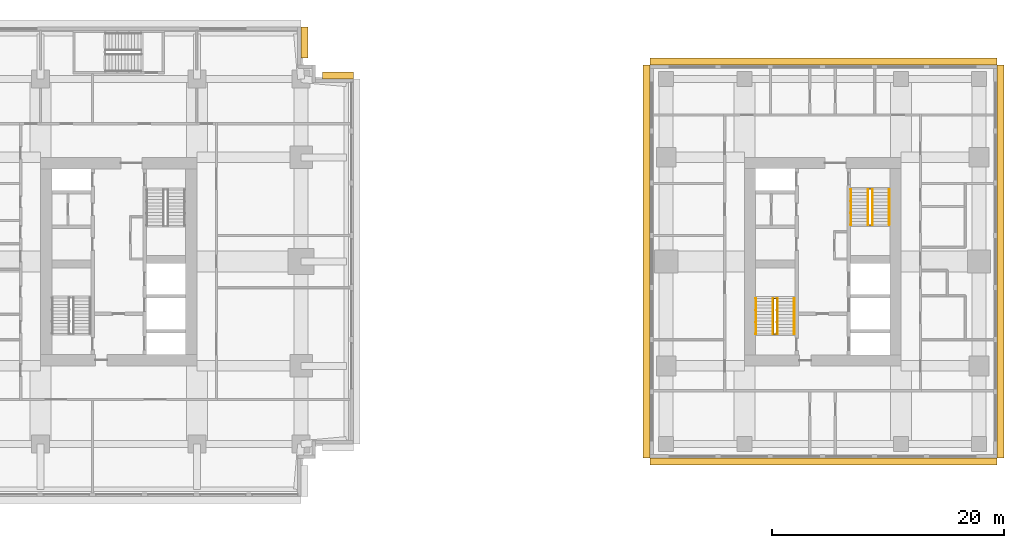
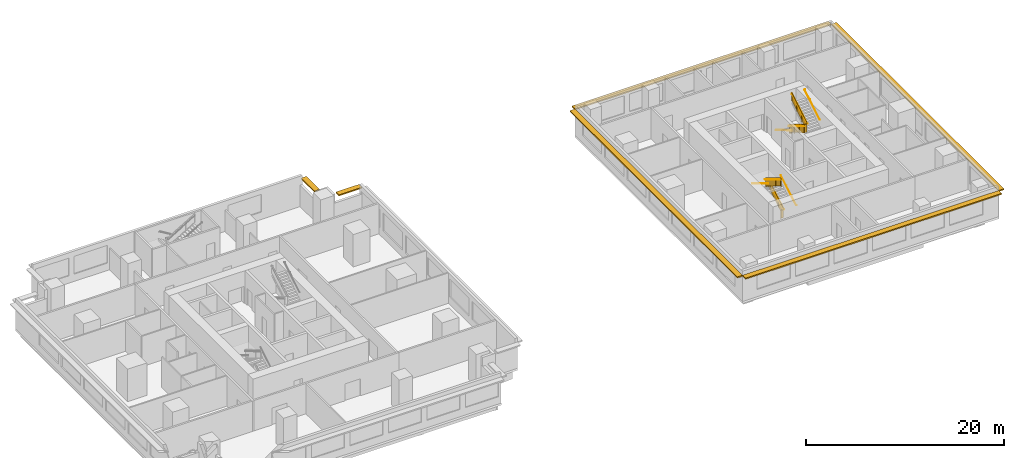
# One storey, part 11 of 11: 10 railings, 6 shading devices.
"""IFC4 building model written with IfcOpenShell, lengths in metres."""

import ifcopenshell
import ifcopenshell.guid

model = None  # the IFC model being written
_history = None  # IfcOwnerHistory: only IFC2X3 demands one
_inside = {}  # id of a spatial element -> (the spatial element, [elements in it])
_under = {}  # id of a project, library or spatial element -> (it, [spatial elements below it])
_declared = {}  # id of a project -> (the project, [libraries it declares])
_typed = {}  # id of a type object -> (the type object, [elements of that type])
_made_of = {}  # id of a material, layer set ... -> (it, [elements and type objects made of it])


def new_model(schema):
    """Start an empty IFC model of exactly this schema.

    Asked for "IFC4X3", IfcOpenShell would pick the latest addendum, in which some entities
    have other attributes; the version numbers below select the first issue.
    IFC2X3 requires an IfcOwnerHistory on every rooted entity: one is made here for all.
    """
    global model, _history
    if schema == "IFC4X3":
        model = ifcopenshell.file(schema_version=(4, 3, 0, 0))
    else:
        model = ifcopenshell.file(schema=schema)
    _inside.clear()
    _under.clear()
    _declared.clear()
    _typed.clear()
    _made_of.clear()
    _history = None
    if model.schema == "IFC2X3":
        org = make("IfcOrganization", Name="unknown")
        user = make(
            "IfcPersonAndOrganization",
            ThePerson=make("IfcPerson", FamilyName="unknown"),
            TheOrganization=org,
        )
        app = make(
            "IfcApplication",
            ApplicationDeveloper=org,
            Version="unknown",
            ApplicationFullName="unknown",
            ApplicationIdentifier="unknown",
        )
        _history = make(
            "IfcOwnerHistory",
            OwningUser=user,
            OwningApplication=app,
            ChangeAction="ADDED",
            CreationDate=0,
        )
    return model


def make(cls, **values):
    """One entity of the class cls with the attributes given. An attribute that is None is left unset."""
    return model.create_entity(
        cls, **{name: value for name, value in values.items() if value is not None}
    )


def rooted(cls, **values):
    """An entity with a GlobalId (a new one), such as an element, a storey or a relation."""
    return make(cls, GlobalId=ifcopenshell.guid.new(), OwnerHistory=_history, **values)


def si_unit(unit_type, name, prefix=None):
    """IfcSIUnit, for example si_unit("LENGTHUNIT", "METRE", prefix="MILLI")."""
    return make("IfcSIUnit", UnitType=unit_type, Prefix=prefix, Name=name)


def assignment(units):
    """IfcUnitAssignment: the units of a project."""
    return None if units is None else make("IfcUnitAssignment", Units=units)


def point(xyz):
    """IfcCartesianPoint."""
    return None if xyz is None else make("IfcCartesianPoint", Coordinates=xyz)


def direction(xyz):
    """IfcDirection."""
    return None if xyz is None else make("IfcDirection", DirectionRatios=xyz)


def frame(location, z_axis=None, x_axis=None):
    """IfcAxis2Placement3D, a coordinate frame: its origin and axes. An axis left out is left unset."""
    return make(
        "IfcAxis2Placement3D",
        Location=point(location),
        Axis=direction(z_axis),
        RefDirection=direction(x_axis),
    )


def frame_2d(location, x_axis=None):
    """IfcAxis2Placement2D, a coordinate frame in the plane: its origin and x axis."""
    return make(
        "IfcAxis2Placement2D", Location=point(location), RefDirection=direction(x_axis)
    )


def origin():
    """The frame at (0, 0, 0) with its axes left unset."""
    return frame((0.0, 0.0, 0.0))


def origin_2d():
    """The frame at (0, 0) in the plane with its x axis left unset."""
    return frame_2d((0.0, 0.0))


def place(relative_to, where):
    """IfcLocalPlacement: puts the frame where relative to a parent placement (None: the world)."""
    return make(
        "IfcLocalPlacement", PlacementRelTo=relative_to, RelativePlacement=where
    )


def context(
    kind, dimensions, precision=None, world=None, true_north=None, identifier=None
):
    """IfcGeometricRepresentationContext, for example the 3D "Model" context."""
    return make(
        "IfcGeometricRepresentationContext",
        ContextIdentifier=identifier,
        ContextType=kind,
        CoordinateSpaceDimension=dimensions,
        Precision=precision,
        WorldCoordinateSystem=world,
        TrueNorth=true_north,
    )


def subcontext(parent, identifier, kind, view, scale=None):
    """IfcGeometricRepresentationSubContext, for example "Body" below "Model"."""
    return make(
        "IfcGeometricRepresentationSubContext",
        ContextIdentifier=identifier,
        ContextType=kind,
        ParentContext=parent,
        TargetScale=scale,
        TargetView=view,
    )


def project(units=None, contexts=None):
    """IfcProject with its units and contexts."""
    return rooted(
        "IfcProject",
        Name="project",
        RepresentationContexts=contexts,
        UnitsInContext=assignment(units),
    )


def spatial(cls, under=None, at=None, **own):
    """A site, building, storey or space (cls), placed at a placement, below another one or the project."""
    s = rooted(cls, ObjectPlacement=at, **own)
    if under is not None:
        _under.setdefault(under.id(), (under, []))[1].append(s)
    return s


def polyline(points):
    """IfcPolyline through the points."""
    return make("IfcPolyline", Points=[point(p) for p in points])


def profile(cls, at=None, kind="AREA", **sizes):
    """A parametric profile (cls). Its sizes go by their IFC names, for example OverallWidth=200.0."""
    return make(cls, ProfileType=kind, Position=at, **sizes)


def rectangle(**sizes):
    """IfcRectangleProfileDef."""
    return profile("IfcRectangleProfileDef", **sizes)


def circle(**sizes):
    """IfcCircleProfileDef."""
    return profile("IfcCircleProfileDef", **sizes)


def outline(outer, holes=None, kind="AREA"):
    """IfcArbitraryClosedProfileDef: a profile drawn as a closed curve; with holes, ...WithVoids."""
    if holes is None:
        return make("IfcArbitraryClosedProfileDef", ProfileType=kind, OuterCurve=outer)
    return make(
        "IfcArbitraryProfileDefWithVoids",
        ProfileType=kind,
        OuterCurve=outer,
        InnerCurves=holes,
    )


def extrude(swept, where, along, depth):
    """IfcExtrudedAreaSolid: the profile swept, set in the frame where, extruded along a direction by depth."""
    return make(
        "IfcExtrudedAreaSolid",
        SweptArea=swept,
        Position=where,
        ExtrudedDirection=direction(along),
        Depth=depth,
    )


def shape(context_of_items, identifier, shape_type, items):
    """IfcShapeRepresentation: the items that make up one representation, for example the "Body"."""
    return make(
        "IfcShapeRepresentation",
        ContextOfItems=context_of_items,
        RepresentationIdentifier=identifier,
        RepresentationType=shape_type,
        Items=items,
    )


def material(Name=None, Category=None):
    """IfcMaterial."""
    return make("IfcMaterial", Name=Name, Category=Category)


def layer(
    of_material, thickness, ventilated=None, Name=None, Category=None, Priority=None
):
    """IfcMaterialLayer: one layer of a wall or slab, of a material (None: an air gap)."""
    return make(
        "IfcMaterialLayer",
        Material=of_material,
        LayerThickness=thickness,
        IsVentilated=ventilated,
        Name=Name,
        Category=Category,
        Priority=Priority,
    )


def layer_set(layers, Name=None):
    """IfcMaterialLayerSet."""
    return make("IfcMaterialLayerSet", MaterialLayers=layers, LayerSetName=Name)


def made_of(thing, what):
    """Note that an element or type object is made of a material, layer set ...; save() writes the relation."""
    if what is not None:
        _made_of.setdefault(what.id(), (what, []))[1].append(thing)
    return thing


def type_object(cls, material=None, **own):
    """A type object (cls), such as IfcWallType, which elements share."""
    return made_of(rooted(cls, **own), material)


def element(
    cls,
    number,
    at=None,
    inside=None,
    cuts=None,
    type_object=None,
    material=None,
    context=None,
    identifier="Body",
    shape_type=None,
    held_by="IfcProductDefinitionShape",
    body=None,
    shapes=None,
    **own,
):
    """One element of the class cls, such as IfcWall. Its Tag is "e" and its number.

    at: its placement. inside: the storey or other place that contains it. cuts: it is an
    opening in that element (IfcRelVoidsElement). A single representation is given by context,
    identifier, shape_type and body (its items); several are given by shapes. held_by: the class
    of the entity that holds the representations. save() writes the other relations.
    """
    e = rooted(cls, Tag="e%d" % number, ObjectPlacement=at, **own)
    if body is not None:
        shapes = [shape(context, identifier, shape_type, body)]
    if shapes is not None:
        e.Representation = make(held_by, Representations=shapes)
    if inside is not None:
        _inside.setdefault(inside.id(), (inside, []))[1].append(e)
    if cuts is not None:
        rooted(
            "IfcRelVoidsElement", RelatingBuildingElement=cuts, RelatedOpeningElement=e
        )
    if type_object is not None:
        _typed.setdefault(type_object.id(), (type_object, []))[1].append(e)
    return made_of(e, material)


def aggregate(whole, parts):
    """IfcRelAggregates: a whole, such as a stair, and the parts it consists of."""
    return rooted("IfcRelAggregates", RelatingObject=whole, RelatedObjects=parts)


def save(model, path):
    """Write the relations noted so far, then the file.

    IfcRelAggregates (storeys below a building ...), IfcRelContainedInSpatialStructure (elements
    in a storey), IfcRelDefinesByType, IfcRelAssociatesMaterial and IfcRelDeclares: one each for
    every whole, place, type object, material and project.
    """
    for whole, parts in _under.values():
        aggregate(whole, parts)
    for where, things in _inside.values():
        rooted(
            "IfcRelContainedInSpatialStructure",
            RelatedElements=things,
            RelatingStructure=where,
        )
    for kind, things in _typed.values():
        rooted("IfcRelDefinesByType", RelatedObjects=things, RelatingType=kind)
    for what, things in _made_of.values():
        rooted("IfcRelAssociatesMaterial", RelatedObjects=things, RelatingMaterial=what)
    for by, libraries in _declared.values():
        rooted("IfcRelDeclares", RelatingContext=by, RelatedDefinitions=libraries)
    model.write(path)


model = new_model("IFC4")

# Units and contexts
model_context = context("Model", 3, precision=1e-05, world=origin(), true_north=direction((0.0, 1.0)))
body_context = subcontext(model_context, "Body", "Model", "MODEL_VIEW")
ifc_project = project(units=[si_unit("LENGTHUNIT", "METRE"), si_unit("AREAUNIT", "SQUARE_METRE"), si_unit("VOLUMEUNIT", "CUBIC_METRE"), si_unit("PLANEANGLEUNIT", "RADIAN"), si_unit("MASSUNIT", "GRAM", prefix="KILO")], contexts=[model_context])

# Site, building, storey
site_placement = place(None, origin())
site = spatial("IfcSite", under=ifc_project, at=site_placement, CompositionType="ELEMENT")
building_placement = place(site_placement, origin())
building = spatial("IfcBuilding", under=site, at=building_placement, Name="Namib Vertical Campus", CompositionType="ELEMENT")
storey_placement = place(building_placement, frame((0.0, 0.0, 225.0)))
storey = spatial("IfcBuildingStorey", under=building, at=storey_placement, Name="L53", CompositionType="ELEMENT", Elevation=225.0)

# Railings
ifc_material_1 = material(Name="Steel handrail", Category="steel")
railing_type_1 = type_object("IfcRailingType", Name="Handrail 900", PredefinedType="HANDRAIL", material=ifc_material_1)
railing_1_placement = place(storey_placement, frame((78.550048828125, 14.0, 0.166748046875)))
element("IfcRailing", 1, at=railing_1_placement, inside=storey, type_object=railing_type_1, Name="Handrail HR1 B-S1 L53 1", PredefinedType="HANDRAIL", context=body_context, shape_type="SweptSolid", body=[
    extrude(circle(Radius=0.02392578125, at=origin_2d()), frame((0.0, 0.0, 0.8759765625), z_axis=(0.0, 0.859308565015, 0.511457515432), x_axis=(-1.0, 0.0, 0.0)), (0.0, 0.0, 1.0), 3.58447265625),
    extrude(circle(Radius=0.008056640625, at=origin_2d()), frame((0.0, 0.0, 0.8759765625), z_axis=(1.0, 0.0, 0.0), x_axis=(0.0, 0.0, 1.0)), (0.0, 0.0, 1.0), 0.050048828125),
    extrude(circle(Radius=0.008056640625, at=origin_2d()), frame((0.0, 1.026611328125, 1.48681640625), z_axis=(1.0, 0.0, 0.0), x_axis=(0.0, 0.0, 1.0)), (0.0, 0.0, 1.0), 0.050048828125),
    extrude(circle(Radius=0.008056640625, at=origin_2d()), frame((0.0, 2.053466796875, 2.09814453125), z_axis=(1.0, 0.0, 0.0), x_axis=(0.0, 0.0, 1.0)), (0.0, 0.0, 1.0), 0.050048828125),
    extrude(circle(Radius=0.008056640625, at=origin_2d()), frame((0.0, 3.080078125, 2.708984375), z_axis=(1.0, 0.0, 0.0), x_axis=(0.0, 0.0, 1.0)), (0.0, 0.0, 1.0), 0.050048828125),
])
railing_2_placement = place(storey_placement, frame((75.25, 17.080078125, 2.166748046875)))
element("IfcRailing", 2, at=railing_2_placement, inside=storey, type_object=railing_type_1, Name="Handrail HR1 B-S1 L53 2", PredefinedType="HANDRAIL", context=body_context, shape_type="SweptSolid", body=[
    extrude(circle(Radius=0.02392578125, at=origin_2d()), frame((0.0, 0.0, 0.8759765625), z_axis=(0.0, -0.859308565015, 0.511457515432), x_axis=(1.0, 0.0, 0.0)), (0.0, 0.0, 1.0), 3.58447265625),
    extrude(circle(Radius=0.008056640625, at=origin_2d()), frame((0.0, 0.0, 0.8759765625), z_axis=(-1.0, 0.0, 0.0), x_axis=(0.0, 0.0, 1.0)), (0.0, 0.0, 1.0), 0.050048828125),
    extrude(circle(Radius=0.008056640625, at=origin_2d()), frame((0.0, -1.026611328125, 1.48681640625), z_axis=(-1.0, 0.0, 0.0), x_axis=(0.0, 0.0, 1.0)), (0.0, 0.0, 1.0), 0.050048828125),
    extrude(circle(Radius=0.008056640625, at=origin_2d()), frame((0.0, -2.053466796875, 2.09814453125), z_axis=(-1.0, 0.0, 0.0), x_axis=(0.0, 0.0, 1.0)), (0.0, 0.0, 1.0), 0.050048828125),
    extrude(circle(Radius=0.008056640625, at=origin_2d()), frame((0.0, -3.080078125, 2.708984375), z_axis=(-1.0, 0.0, 0.0), x_axis=(0.0, 0.0, 1.0)), (0.0, 0.0, 1.0), 0.050048828125),
])
railing_3_placement = place(storey_placement, frame((77.10009765625, 14.0, 0.166748046875)))
element("IfcRailing", 3, at=railing_3_placement, inside=storey, type_object=railing_type_1, Name="Handrail HR1 B-S1 L53 1 at the well", PredefinedType="HANDRAIL", context=body_context, shape_type="SweptSolid", body=[
    extrude(circle(Radius=0.02392578125, at=origin_2d()), frame((0.0, 0.0, 0.8759765625), z_axis=(0.0, 0.859308565015, 0.511457515432), x_axis=(-1.0, 0.0, 0.0)), (0.0, 0.0, 1.0), 3.58447265625),
    extrude(circle(Radius=0.008056640625, at=origin_2d()), frame((0.0, 0.0, 0.8759765625), z_axis=(-1.0, 0.0, 0.0), x_axis=(0.0, 0.0, 1.0)), (0.0, 0.0, 1.0), 0.0400390625),
    extrude(circle(Radius=0.008056640625, at=origin_2d()), frame((0.0, 1.026611328125, 1.48681640625), z_axis=(-1.0, 0.0, 0.0), x_axis=(0.0, 0.0, 1.0)), (0.0, 0.0, 1.0), 0.0400390625),
    extrude(circle(Radius=0.008056640625, at=origin_2d()), frame((0.0, 2.053466796875, 2.09814453125), z_axis=(-1.0, 0.0, 0.0), x_axis=(0.0, 0.0, 1.0)), (0.0, 0.0, 1.0), 0.0400390625),
    extrude(circle(Radius=0.008056640625, at=origin_2d()), frame((0.0, 3.080078125, 2.708984375), z_axis=(-1.0, 0.0, 0.0), x_axis=(0.0, 0.0, 1.0)), (0.0, 0.0, 1.0), 0.0400390625),
])
railing_4_placement = place(storey_placement, frame((76.699951171875, 17.080078125, 2.166748046875)))
element("IfcRailing", 4, at=railing_4_placement, inside=storey, type_object=railing_type_1, Name="Handrail HR1 B-S1 L53 2 at the well", PredefinedType="HANDRAIL", context=body_context, shape_type="SweptSolid", body=[
    extrude(circle(Radius=0.02392578125, at=origin_2d()), frame((0.0, 0.0, 0.8759765625), z_axis=(0.0, -0.859308565015, 0.511457515432), x_axis=(1.0, 0.0, 0.0)), (0.0, 0.0, 1.0), 3.58447265625),
    extrude(circle(Radius=0.008056640625, at=origin_2d()), frame((0.0, 0.0, 0.8759765625), z_axis=(1.0, 0.0, 0.0), x_axis=(0.0, 0.0, 1.0)), (0.0, 0.0, 1.0), 0.0400390625),
    extrude(circle(Radius=0.008056640625, at=origin_2d()), frame((0.0, -1.026611328125, 1.48681640625), z_axis=(1.0, 0.0, 0.0), x_axis=(0.0, 0.0, 1.0)), (0.0, 0.0, 1.0), 0.0400390625),
    extrude(circle(Radius=0.008056640625, at=origin_2d()), frame((0.0, -2.053466796875, 2.09814453125), z_axis=(1.0, 0.0, 0.0), x_axis=(0.0, 0.0, 1.0)), (0.0, 0.0, 1.0), 0.0400390625),
    extrude(circle(Radius=0.008056640625, at=origin_2d()), frame((0.0, -3.080078125, 2.708984375), z_axis=(1.0, 0.0, 0.0), x_axis=(0.0, 0.0, 1.0)), (0.0, 0.0, 1.0), 0.0400390625),
])
railing_5_placement = place(storey_placement, frame((83.449951171875, 26.5, 0.166748046875)))
element("IfcRailing", 5, at=railing_5_placement, inside=storey, type_object=railing_type_1, Name="Handrail HR1 B-S2 L53 1", PredefinedType="HANDRAIL", context=body_context, shape_type="SweptSolid", body=[
    extrude(circle(Radius=0.02392578125, at=origin_2d()), frame((0.0, 0.0, 0.8759765625), z_axis=(0.0, -0.859308565015, 0.511457515432), x_axis=(1.0, 0.0, 0.0)), (0.0, 0.0, 1.0), 3.58447265625),
    extrude(circle(Radius=0.008056640625, at=origin_2d()), frame((0.0, 0.0, 0.8759765625), z_axis=(-1.0, 0.0, 0.0), x_axis=(0.0, 0.0, 1.0)), (0.0, 0.0, 1.0), 0.050048828125),
    extrude(circle(Radius=0.008056640625, at=origin_2d()), frame((0.0, -1.026611328125, 1.48681640625), z_axis=(-1.0, 0.0, 0.0), x_axis=(0.0, 0.0, 1.0)), (0.0, 0.0, 1.0), 0.050048828125),
    extrude(circle(Radius=0.008056640625, at=origin_2d()), frame((0.0, -2.053466796875, 2.09814453125), z_axis=(-1.0, 0.0, 0.0), x_axis=(0.0, 0.0, 1.0)), (0.0, 0.0, 1.0), 0.050048828125),
    extrude(circle(Radius=0.008056640625, at=origin_2d()), frame((0.0, -3.080078125, 2.708984375), z_axis=(-1.0, 0.0, 0.0), x_axis=(0.0, 0.0, 1.0)), (0.0, 0.0, 1.0), 0.050048828125),
])
railing_6_placement = place(storey_placement, frame((86.75, 23.419921875, 2.166748046875)))
element("IfcRailing", 6, at=railing_6_placement, inside=storey, type_object=railing_type_1, Name="Handrail HR1 B-S2 L53 2", PredefinedType="HANDRAIL", context=body_context, shape_type="SweptSolid", body=[
    extrude(circle(Radius=0.02392578125, at=origin_2d()), frame((0.0, 0.0, 0.8759765625), z_axis=(0.0, 0.859308565015, 0.511457515432), x_axis=(-1.0, 0.0, 0.0)), (0.0, 0.0, 1.0), 3.58447265625),
    extrude(circle(Radius=0.008056640625, at=origin_2d()), frame((0.0, 0.0, 0.8759765625), z_axis=(1.0, 0.0, 0.0), x_axis=(0.0, 0.0, 1.0)), (0.0, 0.0, 1.0), 0.050048828125),
    extrude(circle(Radius=0.008056640625, at=origin_2d()), frame((0.0, 1.026611328125, 1.48681640625), z_axis=(1.0, 0.0, 0.0), x_axis=(0.0, 0.0, 1.0)), (0.0, 0.0, 1.0), 0.050048828125),
    extrude(circle(Radius=0.008056640625, at=origin_2d()), frame((0.0, 2.053466796875, 2.09814453125), z_axis=(1.0, 0.0, 0.0), x_axis=(0.0, 0.0, 1.0)), (0.0, 0.0, 1.0), 0.050048828125),
    extrude(circle(Radius=0.008056640625, at=origin_2d()), frame((0.0, 3.080078125, 2.708984375), z_axis=(1.0, 0.0, 0.0), x_axis=(0.0, 0.0, 1.0)), (0.0, 0.0, 1.0), 0.050048828125),
])
railing_7_placement = place(storey_placement, frame((84.89990234375, 26.5, 0.166748046875)))
element("IfcRailing", 7, at=railing_7_placement, inside=storey, type_object=railing_type_1, Name="Handrail HR1 B-S2 L53 1 at the well", PredefinedType="HANDRAIL", context=body_context, shape_type="SweptSolid", body=[
    extrude(circle(Radius=0.02392578125, at=origin_2d()), frame((0.0, 0.0, 0.8759765625), z_axis=(0.0, -0.859308565015, 0.511457515432), x_axis=(1.0, 0.0, 0.0)), (0.0, 0.0, 1.0), 3.58447265625),
    extrude(circle(Radius=0.008056640625, at=origin_2d()), frame((0.0, 0.0, 0.8759765625), z_axis=(1.0, 0.0, 0.0), x_axis=(0.0, 0.0, 1.0)), (0.0, 0.0, 1.0), 0.0400390625),
    extrude(circle(Radius=0.008056640625, at=origin_2d()), frame((0.0, -1.026611328125, 1.48681640625), z_axis=(1.0, 0.0, 0.0), x_axis=(0.0, 0.0, 1.0)), (0.0, 0.0, 1.0), 0.0400390625),
    extrude(circle(Radius=0.008056640625, at=origin_2d()), frame((0.0, -2.053466796875, 2.09814453125), z_axis=(1.0, 0.0, 0.0), x_axis=(0.0, 0.0, 1.0)), (0.0, 0.0, 1.0), 0.0400390625),
    extrude(circle(Radius=0.008056640625, at=origin_2d()), frame((0.0, -3.080078125, 2.708984375), z_axis=(1.0, 0.0, 0.0), x_axis=(0.0, 0.0, 1.0)), (0.0, 0.0, 1.0), 0.0400390625),
])
railing_8_placement = place(storey_placement, frame((85.300048828125, 23.419921875, 2.166748046875)))
element("IfcRailing", 8, at=railing_8_placement, inside=storey, type_object=railing_type_1, Name="Handrail HR1 B-S2 L53 2 at the well", PredefinedType="HANDRAIL", context=body_context, shape_type="SweptSolid", body=[
    extrude(circle(Radius=0.02392578125, at=origin_2d()), frame((0.0, 0.0, 0.8759765625), z_axis=(0.0, 0.859308565015, 0.511457515432), x_axis=(-1.0, 0.0, 0.0)), (0.0, 0.0, 1.0), 3.58447265625),
    extrude(circle(Radius=0.008056640625, at=origin_2d()), frame((0.0, 0.0, 0.8759765625), z_axis=(-1.0, 0.0, 0.0), x_axis=(0.0, 0.0, 1.0)), (0.0, 0.0, 1.0), 0.0400390625),
    extrude(circle(Radius=0.008056640625, at=origin_2d()), frame((0.0, 1.026611328125, 1.48681640625), z_axis=(-1.0, 0.0, 0.0), x_axis=(0.0, 0.0, 1.0)), (0.0, 0.0, 1.0), 0.0400390625),
    extrude(circle(Radius=0.008056640625, at=origin_2d()), frame((0.0, 2.053466796875, 2.09814453125), z_axis=(-1.0, 0.0, 0.0), x_axis=(0.0, 0.0, 1.0)), (0.0, 0.0, 1.0), 0.0400390625),
    extrude(circle(Radius=0.008056640625, at=origin_2d()), frame((0.0, 3.080078125, 2.708984375), z_axis=(-1.0, 0.0, 0.0), x_axis=(0.0, 0.0, 1.0)), (0.0, 0.0, 1.0), 0.0400390625),
])
ifc_material_2 = material(Name="Steel balustrade", Category="steel")
railing_type_2 = type_object("IfcRailingType", Name="Stair guard 1100", PredefinedType="GUARDRAIL", material=ifc_material_2)
railing_9_placement = place(storey_placement, frame((76.75, 14.0, 0.0)))
element("IfcRailing", 9, at=railing_9_placement, inside=storey, type_object=railing_type_2, Name="Stair guard GR1 B-S1 L53", PredefinedType="GUARDRAIL", context=body_context, shape_type="SweptSolid", body=[
    extrude(circle(Radius=0.02392578125, at=origin_2d()), frame((0.0, 0.0, 1.076171875), z_axis=(1.0, 0.0, 0.0), x_axis=(0.0, 1.0, 0.0)), (0.0, 0.0, 1.0), 0.300048828125),
    extrude(outline(polyline([(0.02099609375, 0.050048828125), (0.279052734375, 0.050048828125), (0.279052734375, 1.052001953125), (0.02099609375, 1.052001953125), (0.02099609375, 0.050048828125)])), frame((0.0, 0.010009765625, 0.0), z_axis=(0.0, -1.0, 0.0), x_axis=(1.0, 0.0, 0.0)), (0.0, 0.0, 1.0), 0.02001953125),
    extrude(circle(Radius=0.02392578125, at=origin_2d()), frame((0.300048828125, 0.0, 1.076171875), z_axis=(0.0, 0.0, 1.0), x_axis=(1.0, 0.0, 0.0)), (0.0, 0.0, 1.0), 0.166748046875),
    extrude(circle(Radius=0.02392578125, at=origin_2d()), frame((0.300048828125, 0.0, 1.24267578125), z_axis=(0.0, 0.859308565015, 0.511457515432), x_axis=(-1.0, 0.0, 0.0)), (0.0, 0.0, 1.0), 3.58447265625),
    extrude(outline(polyline([(0.02099609375, 0.0625), (3.05908203125, 1.870849609375), (3.05908203125, 2.872802734375), (0.02099609375, 1.064453125), (0.02099609375, 0.0625)])), frame((0.2900390625, 0.0, 0.166748046875), z_axis=(1.0, 0.0, 0.0), x_axis=(0.0, 1.0, 0.0)), (0.0, 0.0, 1.0), 0.02001953125),
    extrude(circle(Radius=0.02392578125, at=origin_2d()), frame((0.300048828125, 3.080078125, 3.076171875), z_axis=(-1.0, 0.0, 0.0), x_axis=(0.0, -1.0, 0.0)), (0.0, 0.0, 1.0), 0.300048828125),
    extrude(outline(polyline([(0.02099609375, 0.050048828125), (0.279052734375, 0.050048828125), (0.279052734375, 1.052001953125), (0.02099609375, 1.052001953125), (0.02099609375, 0.050048828125)])), frame((0.300048828125, 3.070068359375, 2.0), z_axis=(0.0, 1.0, 0.0), x_axis=(-1.0, 0.0, 0.0)), (0.0, 0.0, 1.0), 0.02001953125),
    extrude(circle(Radius=0.02392578125, at=origin_2d()), frame((0.0, 3.080078125, 3.076171875), z_axis=(0.0, 0.0, 1.0), x_axis=(1.0, 0.0, 0.0)), (0.0, 0.0, 1.0), 0.166748046875),
    extrude(circle(Radius=0.02392578125, at=origin_2d()), frame((0.0, 3.080078125, 3.24267578125), z_axis=(0.0, -0.859308565015, 0.511457515432), x_axis=(1.0, 0.0, 0.0)), (0.0, 0.0, 1.0), 3.58447265625),
    extrude(outline(polyline([(0.02099609375, 0.0625), (3.05908203125, 1.870849609375), (3.05908203125, 2.872802734375), (0.02099609375, 1.064453125), (0.02099609375, 0.0625)])), frame((0.010009765625, 3.080078125, 2.166748046875), z_axis=(-1.0, 0.0, 0.0), x_axis=(0.0, -1.0, 0.0)), (0.0, 0.0, 1.0), 0.02001953125),
    extrude(circle(Radius=0.02392578125, at=origin_2d()), frame((0.0, 0.0, 5.076171875), z_axis=(0.0, -1.0, 0.0), x_axis=(1.0, 0.0, 0.0)), (0.0, 0.0, 1.0), 0.050048828125),
    extrude(outline(polyline([(0.02099609375, 0.050048828125), (0.029052734375, 0.050048828125), (0.029052734375, 1.052001953125), (0.02099609375, 1.052001953125), (0.02099609375, 0.050048828125)])), frame((0.010009765625, 0.0, 4.0), z_axis=(-1.0, 0.0, 0.0), x_axis=(0.0, -1.0, 0.0)), (0.0, 0.0, 1.0), 0.02001953125),
    extrude(circle(Radius=0.02099609375, at=origin_2d()), origin(), (0.0, 0.0, 1.0), 1.052001953125),
    extrude(circle(Radius=0.02099609375, at=origin_2d()), frame((0.300048828125, 0.0, 0.166748046875)), (0.0, 0.0, 1.0), 1.052001953125),
    extrude(circle(Radius=0.02099609375, at=origin_2d()), frame((0.300048828125, 1.026611328125, 0.666748046875)), (0.0, 0.0, 1.0), 1.1630859375),
    extrude(circle(Radius=0.02099609375, at=origin_2d()), frame((0.300048828125, 2.053466796875, 1.33349609375)), (0.0, 0.0, 1.0), 1.107421875),
    extrude(circle(Radius=0.02099609375, at=origin_2d()), frame((0.300048828125, 3.080078125, 2.0)), (0.0, 0.0, 1.0), 1.052001953125),
    extrude(circle(Radius=0.02099609375, at=origin_2d()), frame((0.0, 3.080078125, 2.166748046875)), (0.0, 0.0, 1.0), 1.052001953125),
    extrude(circle(Radius=0.02099609375, at=origin_2d()), frame((0.0, 2.053466796875, 2.666748046875)), (0.0, 0.0, 1.0), 1.1630859375),
    extrude(circle(Radius=0.02099609375, at=origin_2d()), frame((0.0, 1.026611328125, 3.33349609375)), (0.0, 0.0, 1.0), 1.107421875),
    extrude(circle(Radius=0.02099609375, at=origin_2d()), frame((0.0, 0.0, 4.0)), (0.0, 0.0, 1.0), 1.052001953125),
    extrude(circle(Radius=0.02099609375, at=origin_2d()), frame((0.0, -0.050048828125, 4.0)), (0.0, 0.0, 1.0), 1.052001953125),
])
railing_10_placement = place(storey_placement, frame((85.25, 26.5, 0.0)))
element("IfcRailing", 10, at=railing_10_placement, inside=storey, type_object=railing_type_2, Name="Stair guard GR1 B-S2 L53", PredefinedType="GUARDRAIL", context=body_context, shape_type="SweptSolid", body=[
    extrude(circle(Radius=0.02392578125, at=origin_2d()), frame((0.0, 0.0, 1.076171875), z_axis=(-1.0, 0.0, 0.0), x_axis=(0.0, -1.0, 0.0)), (0.0, 0.0, 1.0), 0.300048828125),
    extrude(outline(polyline([(0.02099609375, 0.050048828125), (0.279052734375, 0.050048828125), (0.279052734375, 1.052001953125), (0.02099609375, 1.052001953125), (0.02099609375, 0.050048828125)])), frame((0.0, -0.010009765625, 0.0), z_axis=(0.0, 1.0, 0.0), x_axis=(-1.0, 0.0, 0.0)), (0.0, 0.0, 1.0), 0.02001953125),
    extrude(circle(Radius=0.02392578125, at=origin_2d()), frame((-0.300048828125, 0.0, 1.076171875), z_axis=(0.0, 0.0, 1.0), x_axis=(1.0, 0.0, 0.0)), (0.0, 0.0, 1.0), 0.166748046875),
    extrude(circle(Radius=0.02392578125, at=origin_2d()), frame((-0.300048828125, 0.0, 1.24267578125), z_axis=(0.0, -0.859308565015, 0.511457515432), x_axis=(1.0, 0.0, 0.0)), (0.0, 0.0, 1.0), 3.58447265625),
    extrude(outline(polyline([(0.02099609375, 0.0625), (3.05908203125, 1.870849609375), (3.05908203125, 2.872802734375), (0.02099609375, 1.064453125), (0.02099609375, 0.0625)])), frame((-0.2900390625, 0.0, 0.166748046875), z_axis=(-1.0, 0.0, 0.0), x_axis=(0.0, -1.0, 0.0)), (0.0, 0.0, 1.0), 0.02001953125),
    extrude(circle(Radius=0.02392578125, at=origin_2d()), frame((-0.300048828125, -3.080078125, 3.076171875), z_axis=(1.0, 0.0, 0.0), x_axis=(0.0, 1.0, 0.0)), (0.0, 0.0, 1.0), 0.300048828125),
    extrude(outline(polyline([(0.02099609375, 0.050048828125), (0.279052734375, 0.050048828125), (0.279052734375, 1.052001953125), (0.02099609375, 1.052001953125), (0.02099609375, 0.050048828125)])), frame((-0.300048828125, -3.070068359375, 2.0), z_axis=(0.0, -1.0, 0.0), x_axis=(1.0, 0.0, 0.0)), (0.0, 0.0, 1.0), 0.02001953125),
    extrude(circle(Radius=0.02392578125, at=origin_2d()), frame((0.0, -3.080078125, 3.076171875), z_axis=(0.0, 0.0, 1.0), x_axis=(1.0, 0.0, 0.0)), (0.0, 0.0, 1.0), 0.166748046875),
    extrude(circle(Radius=0.02392578125, at=origin_2d()), frame((0.0, -3.080078125, 3.24267578125), z_axis=(0.0, 0.859308565015, 0.511457515432), x_axis=(-1.0, 0.0, 0.0)), (0.0, 0.0, 1.0), 3.58447265625),
    extrude(outline(polyline([(0.02099609375, 0.0625), (3.05908203125, 1.870849609375), (3.05908203125, 2.872802734375), (0.02099609375, 1.064453125), (0.02099609375, 0.0625)])), frame((-0.010009765625, -3.080078125, 2.166748046875), z_axis=(1.0, 0.0, 0.0), x_axis=(0.0, 1.0, 0.0)), (0.0, 0.0, 1.0), 0.02001953125),
    extrude(circle(Radius=0.02392578125, at=origin_2d()), frame((0.0, 0.0, 5.076171875), z_axis=(0.0, 1.0, 0.0), x_axis=(-1.0, 0.0, 0.0)), (0.0, 0.0, 1.0), 0.050048828125),
    extrude(outline(polyline([(0.02099609375, 0.050048828125), (0.029052734375, 0.050048828125), (0.029052734375, 1.052001953125), (0.02099609375, 1.052001953125), (0.02099609375, 0.050048828125)])), frame((-0.010009765625, 0.0, 4.0), z_axis=(1.0, 0.0, 0.0), x_axis=(0.0, 1.0, 0.0)), (0.0, 0.0, 1.0), 0.02001953125),
    extrude(circle(Radius=0.02099609375, at=origin_2d()), origin(), (0.0, 0.0, 1.0), 1.052001953125),
    extrude(circle(Radius=0.02099609375, at=origin_2d()), frame((-0.300048828125, 0.0, 0.166748046875)), (0.0, 0.0, 1.0), 1.052001953125),
    extrude(circle(Radius=0.02099609375, at=origin_2d()), frame((-0.300048828125, -1.026611328125, 0.666748046875)), (0.0, 0.0, 1.0), 1.1630859375),
    extrude(circle(Radius=0.02099609375, at=origin_2d()), frame((-0.300048828125, -2.053466796875, 1.33349609375)), (0.0, 0.0, 1.0), 1.107421875),
    extrude(circle(Radius=0.02099609375, at=origin_2d()), frame((-0.300048828125, -3.080078125, 2.0)), (0.0, 0.0, 1.0), 1.052001953125),
    extrude(circle(Radius=0.02099609375, at=origin_2d()), frame((0.0, -3.080078125, 2.166748046875)), (0.0, 0.0, 1.0), 1.052001953125),
    extrude(circle(Radius=0.02099609375, at=origin_2d()), frame((0.0, -2.053466796875, 2.666748046875)), (0.0, 0.0, 1.0), 1.1630859375),
    extrude(circle(Radius=0.02099609375, at=origin_2d()), frame((0.0, -1.026611328125, 3.33349609375)), (0.0, 0.0, 1.0), 1.107421875),
    extrude(circle(Radius=0.02099609375, at=origin_2d()), frame((0.0, 0.0, 4.0)), (0.0, 0.0, 1.0), 1.052001953125),
    extrude(circle(Radius=0.02099609375, at=origin_2d()), frame((0.0, 0.050048828125, 4.0)), (0.0, 0.0, 1.0), 1.052001953125),
])

# Shading devices
ifc_material_3 = material(Name="Concrete C40/50 precast", Category="concrete")
ifc_layer = layer(ifc_material_3, 0.14990234375)
ifc_layer_set = layer_set([ifc_layer], Name="Concrete C40/50 precast")
shading_device_type = type_object("IfcShadingDeviceType", Name="Sunshade hood 600", PredefinedType="SHUTTER", material=ifc_layer_set)
for number, where, z_axis, x_axis, name in (
    (11, (39.16259765625, 36.300048828125, 3.10009765625), (0.0, 0.0, 1.0), (-1.0, 0.0, 0.0), "Sunshade SH3 L53 7"),
    (12, (36.300048828125, 39.16259765625, 3.10009765625), (0.0, 0.0, 1.0), (0.0, 1.0, 0.0), "Sunshade SH3 L53 10"),
):
    element("IfcShadingDevice", number, at=place(storey_placement, frame(where, z_axis=z_axis, x_axis=x_axis)), inside=storey, type_object=shading_device_type, Name=name, PredefinedType="SHUTTER", context=body_context, shape_type="SweptSolid", body=[
        extrude(rectangle(XDim=2.675048828125, YDim=0.60009765625, at=origin_2d()), origin(), (0.0, 0.0, 1.0), 0.14990234375),
    ])
shading_device_1_placement = place(storey_placement, frame((81.074951171875, 3.0, 3.10009765625), z_axis=(0.0, 0.0, 1.0), x_axis=(1.0, 0.0, 0.0)))
element("IfcShadingDevice", 13, at=shading_device_1_placement, inside=storey, type_object=shading_device_type, Name="Sunshade SH3 L53 1", PredefinedType="SHUTTER", context=body_context, shape_type="SweptSolid", body=[
    extrude(rectangle(XDim=29.949951171875, YDim=0.60009765625, at=origin_2d()), origin(), (0.0, 0.0, 1.0), 0.14990234375),
])
shading_device_2_placement = place(storey_placement, frame((96.35009765625, 20.25, 3.10009765625), z_axis=(0.0, 0.0, 1.0), x_axis=(0.0, 1.0, 0.0)))
element("IfcShadingDevice", 14, at=shading_device_2_placement, inside=storey, type_object=shading_device_type, Name="Sunshade SH3 L53 2", PredefinedType="SHUTTER", context=body_context, shape_type="SweptSolid", body=[
    extrude(rectangle(XDim=33.89990234375, YDim=0.60009765625, at=origin_2d()), origin(), (0.0, 0.0, 1.0), 0.14990234375),
])
shading_device_3_placement = place(storey_placement, frame((81.074951171875, 37.5, 3.10009765625), z_axis=(0.0, 0.0, 1.0), x_axis=(-1.0, 0.0, 0.0)))
element("IfcShadingDevice", 15, at=shading_device_3_placement, inside=storey, type_object=shading_device_type, Name="Sunshade SH3 L53 3", PredefinedType="SHUTTER", context=body_context, shape_type="SweptSolid", body=[
    extrude(rectangle(XDim=29.949951171875, YDim=0.60009765625, at=origin_2d()), origin(), (0.0, 0.0, 1.0), 0.14990234375),
])
shading_device_4_placement = place(storey_placement, frame((65.800048828125, 20.25, 3.10009765625), z_axis=(0.0, 0.0, 1.0), x_axis=(0.0, -1.0, 0.0)))
element("IfcShadingDevice", 16, at=shading_device_4_placement, inside=storey, type_object=shading_device_type, Name="Sunshade SH3 L53 4", PredefinedType="SHUTTER", context=body_context, shape_type="SweptSolid", body=[
    extrude(rectangle(XDim=33.89990234375, YDim=0.60009765625, at=origin_2d()), origin(), (0.0, 0.0, 1.0), 0.14990234375),
])

save(model, "model.ifc")
